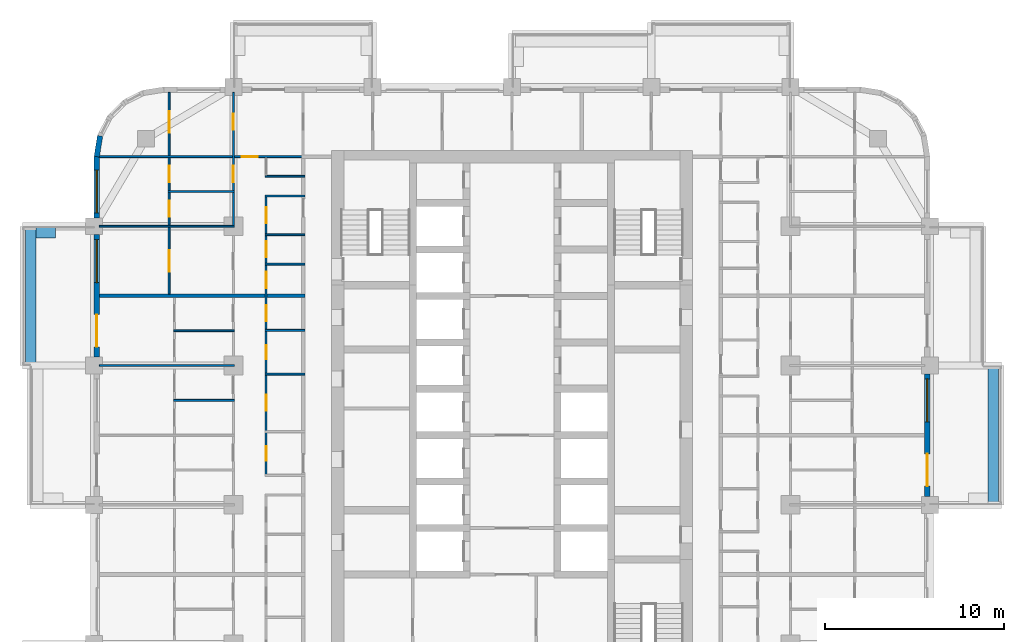
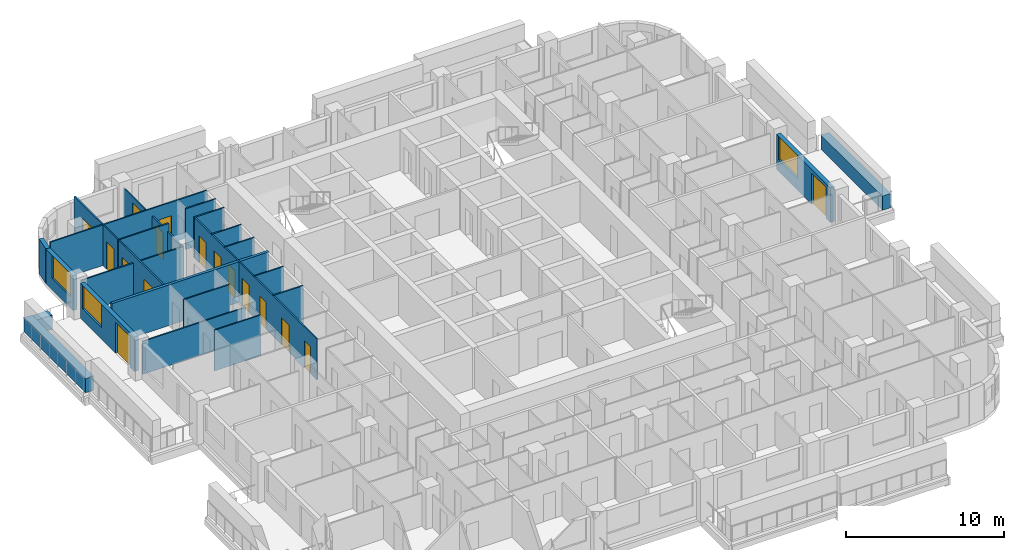
# One storey, part 10 of 18: 23 walls, 16 doors, 3 windows, 19 openings.
"""IFC4 building model written with IfcOpenShell, lengths in metres."""

from ifc_helpers import new_model, si_unit, direction, frame, frame_2d, origin, place, context, subcontext, project, spatial, rectangle, extrude, material, layer, layer_set, type_object, element, fill, save


model = new_model("IFC4")

# Units and contexts
model_context = context("Model", 3, precision=1e-05, world=origin(), true_north=direction((0.0, 1.0)))
body_context = subcontext(model_context, "Body", "Model", "MODEL_VIEW")
ifc_project = project(units=[si_unit("LENGTHUNIT", "METRE"), si_unit("AREAUNIT", "SQUARE_METRE"), si_unit("VOLUMEUNIT", "CUBIC_METRE"), si_unit("PLANEANGLEUNIT", "RADIAN"), si_unit("MASSUNIT", "GRAM", prefix="KILO")], contexts=[model_context])

# Site, building, storey
site_placement = place(None, origin())
site = spatial("IfcSite", under=ifc_project, at=site_placement, CompositionType="ELEMENT")
building_placement = place(site_placement, origin())
building = spatial("IfcBuilding", under=site, at=building_placement, Name="Ludao Terraces", CompositionType="ELEMENT")
storey_placement = place(building_placement, frame((0.0, 0.0, 78.39990234375)))
storey = spatial("IfcBuildingStorey", under=building, at=storey_placement, Name="L21", CompositionType="ELEMENT", Elevation=78.39990234375)

# Walls
ifc_material_1 = material(Name="Concrete C40", Category="concrete")
ifc_layer_1 = layer(ifc_material_1, 0.60009765625)
ifc_layer_set_1 = layer_set([ifc_layer_1], Name="ENV Planter trough 600")
wall_type_1 = type_object("IfcWallType", Name="ENV Planter trough 600", PredefinedType="USERDEFINED", material=ifc_layer_set_1)
for number, where, z_axis, x_axis, name in (
    (1, (111.949951171875, 65.0, 0.0), (0.0, 0.0, 1.0), (0.0, 1.0, 0.0), "PL-L21-E3"),
    (2, (58.050048828125, 72.800048828125, 0.0), (0.0, 0.0, 1.0), (0.0, 1.0, 0.0), "PL-L21-W4"),
):
    element("IfcWall", number, at=place(storey_placement, frame(where, z_axis=z_axis, x_axis=x_axis)), inside=storey, type_object=wall_type_1, Name=name, ObjectType="PLANTER", PredefinedType="USERDEFINED", context=body_context, shape_type="SweptSolid", body=[
        extrude(rectangle(XDim=7.800048828125, YDim=0.60009765625, at=frame_2d((3.89990234375, 0.0))), origin(), (0.0, 0.0, 1.0), 1.10009765625),
    ])
wall_1_placement = place(storey_placement, frame((58.35009765625, 80.25, 0.0), z_axis=(0.0, 0.0, 1.0), x_axis=(1.0, 0.0, 0.0)))
element("IfcWall", 3, at=wall_1_placement, inside=storey, type_object=wall_type_1, Name="PL-L21-W4-SB", ObjectType="PLANTER", PredefinedType="USERDEFINED", context=body_context, shape_type="SweptSolid", body=[
    extrude(rectangle(XDim=1.099853515625, YDim=0.60009765625, at=frame_2d((0.5498046875, 0.0))), origin(), (0.0, 0.0, 1.0), 1.10009765625),
])

# Wall, openings, door, window
ifc_material_2 = material(Name="Granite cladding", Category="masonry")
ifc_layer_2 = layer(ifc_material_2, 0.0400390625, Category="stone")
ifc_material_3 = material(Name="Mineral wool")
ifc_layer_3 = layer(ifc_material_3, 0.06005859375)
ifc_layer_4 = layer(ifc_material_1, 0.199951171875, Category="concrete")
ifc_layer_set_2 = layer_set([ifc_layer_2, ifc_layer_3, ifc_layer_4], Name="ENV Stone-clad wall 300")
wall_type_2 = type_object("IfcWallType", Name="ENV Stone-clad wall 300", PredefinedType="SOLIDWALL", material=ifc_layer_set_2)
wall_2_placement = place(storey_placement, frame((108.25, 65.47509765625, 0.0), z_axis=(0.0, 0.0, 1.0), x_axis=(0.0, 1.0, 0.0)))
wall_2 = element("IfcWall", 4, at=wall_2_placement, inside=storey, type_object=wall_type_2, Name="EW-L21-E4", PredefinedType="SOLIDWALL", context=body_context, shape_type="SweptSolid", body=[
    extrude(rectangle(XDim=6.849853515625, YDim=0.300048828125, at=frame_2d((3.4248046875, 0.0))), origin(), (0.0, 0.0, 1.0), 2.7001953125),
])
opening_1_placement = place(wall_2_placement, frame((0.574951171875, 0.0, 0.0)))
opening_1 = element("IfcOpeningElement", 5, at=opening_1_placement, cuts=wall_2, Name="Opening BD", PredefinedType="OPENING", context=body_context, shape_type="SweptSolid", body=[
    extrude(rectangle(XDim=1.800048828125, YDim=2.39990234375, at=frame_2d((0.89990234375, 1.199951171875))), frame((0.0, 0.16015625, 0.0), z_axis=(0.0, -1.0, 0.0), x_axis=(1.0, 0.0, 0.0)), (0.0, 0.0, 1.0), 0.320068359375),
])
opening_2_placement = place(wall_2_placement, frame((4.175048828125, 0.0, 0.89990234375)))
opening_2 = element("IfcOpeningElement", 6, at=opening_2_placement, cuts=wall_2, Name="Opening W1", PredefinedType="OPENING", context=body_context, shape_type="SweptSolid", body=[
    extrude(rectangle(XDim=2.39990234375, YDim=1.800048828125, at=frame_2d((1.199951171875, 0.89990234375))), frame((0.0, 0.16015625, 0.0), z_axis=(0.0, -1.0, 0.0), x_axis=(1.0, 0.0, 0.0)), (0.0, 0.0, 1.0), 0.320068359375),
])
ifc_material_4 = material(Name="Aluminium glazed door", Category="aluminium")
ifc_layer_5 = layer(ifc_material_4, 0.06005859375)
ifc_layer_set_3 = layer_set([ifc_layer_5], Name="ENV Balcony door BD 1800x2400")
door_type_1 = type_object("IfcDoorType", Name="ENV Balcony door BD 1800x2400", OperationType="DOUBLE_DOOR_SINGLE_SWING", PredefinedType="DOOR", material=ifc_layer_set_3)
door_1_placement = place(opening_1_placement, origin())
door_1 = element("IfcDoor", 7, at=door_1_placement, inside=storey, type_object=door_type_1, Name="BD-L21-E4-1", OperationType="DOUBLE_DOOR_SINGLE_SWING", OverallHeight=2.39990234375, OverallWidth=1.800048828125, PredefinedType="DOOR", context=body_context, shape_type="SweptSolid", body=[
    extrude(rectangle(XDim=1.800048828125, YDim=2.39990234375, at=frame_2d((0.89990234375, 1.199951171875))), frame((0.0, 0.02490234375, 0.0), z_axis=(0.0, -1.0, 0.0), x_axis=(1.0, 0.0, 0.0)), (0.0, 0.0, 1.0), 0.050048828125),
])
fill(opening_1, door_1)
ifc_material_5 = material(Name="Clear glass in aluminium frame", Category="aluminium")
ifc_layer_6 = layer(ifc_material_5, 0.06005859375)
ifc_layer_set_4 = layer_set([ifc_layer_6], Name="ENV Window W1 2400x1800")
window_type = type_object("IfcWindowType", Name="ENV Window W1 2400x1800", PartitioningType="DOUBLE_PANEL_VERTICAL", PredefinedType="WINDOW", material=ifc_layer_set_4)
window_1_placement = place(opening_2_placement, origin())
window_1 = element("IfcWindow", 8, at=window_1_placement, inside=storey, type_object=window_type, Name="W-L21-E4-2", OverallHeight=1.800048828125, OverallWidth=2.39990234375, PartitioningType="DOUBLE_PANEL_VERTICAL", PredefinedType="WINDOW", context=body_context, shape_type="SweptSolid", body=[
    extrude(rectangle(XDim=2.39990234375, YDim=1.800048828125, at=frame_2d((1.199951171875, 0.89990234375))), frame((0.0, 0.030029296875, 0.0), z_axis=(0.0, -1.0, 0.0), x_axis=(1.0, 0.0, 0.0)), (0.0, 0.0, 1.0), 0.06005859375),
])
fill(opening_2, window_1)

wall_3_placement = place(storey_placement, frame((61.75, 73.27490234375, 0.0), z_axis=(0.0, 0.0, 1.0), x_axis=(0.0, 1.0, 0.0)))
wall_3 = element("IfcWall", 9, at=wall_3_placement, inside=storey, type_object=wall_type_2, Name="EW-L21-W5", PredefinedType="SOLIDWALL", context=body_context, shape_type="SweptSolid", body=[
    extrude(rectangle(XDim=6.85009765625, YDim=0.300048828125, at=frame_2d((3.425048828125, 0.0))), origin(), (0.0, 0.0, 1.0), 2.7001953125),
])
opening_3_placement = place(wall_3_placement, frame((0.574951171875, 0.0, 0.0)))
opening_3 = element("IfcOpeningElement", 10, at=opening_3_placement, cuts=wall_3, Name="Opening BD", PredefinedType="OPENING", context=body_context, shape_type="SweptSolid", body=[
    extrude(rectangle(XDim=1.800048828125, YDim=2.39990234375, at=frame_2d((0.89990234375, 1.199951171875))), frame((0.0, 0.16015625, 0.0), z_axis=(0.0, -1.0, 0.0), x_axis=(1.0, 0.0, 0.0)), (0.0, 0.0, 1.0), 0.320068359375),
])
opening_4_placement = place(wall_3_placement, frame((4.175048828125, 0.0, 0.89990234375)))
opening_4 = element("IfcOpeningElement", 11, at=opening_4_placement, cuts=wall_3, Name="Opening W1", PredefinedType="OPENING", context=body_context, shape_type="SweptSolid", body=[
    extrude(rectangle(XDim=2.39990234375, YDim=1.800048828125, at=frame_2d((1.199951171875, 0.89990234375))), frame((0.0, 0.16015625, 0.0), z_axis=(0.0, -1.0, 0.0), x_axis=(1.0, 0.0, 0.0)), (0.0, 0.0, 1.0), 0.320068359375),
])
door_2_placement = place(opening_3_placement, origin())
door_2 = element("IfcDoor", 12, at=door_2_placement, inside=storey, type_object=door_type_1, Name="BD-L21-W5-1", OperationType="DOUBLE_DOOR_SINGLE_SWING", OverallHeight=2.39990234375, OverallWidth=1.800048828125, PredefinedType="DOOR", context=body_context, shape_type="SweptSolid", body=[
    extrude(rectangle(XDim=1.800048828125, YDim=2.39990234375, at=frame_2d((0.89990234375, 1.199951171875))), frame((0.0, 0.02490234375, 0.0), z_axis=(0.0, -1.0, 0.0), x_axis=(1.0, 0.0, 0.0)), (0.0, 0.0, 1.0), 0.050048828125),
])
fill(opening_3, door_2)
window_2_placement = place(opening_4_placement, origin())
window_2 = element("IfcWindow", 13, at=window_2_placement, inside=storey, type_object=window_type, Name="W-L21-W5-2", OverallHeight=1.800048828125, OverallWidth=2.39990234375, PartitioningType="DOUBLE_PANEL_VERTICAL", PredefinedType="WINDOW", context=body_context, shape_type="SweptSolid", body=[
    extrude(rectangle(XDim=2.39990234375, YDim=1.800048828125, at=frame_2d((1.199951171875, 0.89990234375))), frame((0.0, 0.030029296875, 0.0), z_axis=(0.0, -1.0, 0.0), x_axis=(1.0, 0.0, 0.0)), (0.0, 0.0, 1.0), 0.06005859375),
])
fill(opening_4, window_2)

# Wall, opening, window
wall_4_placement = place(storey_placement, frame((61.75, 81.074951171875, 0.0), z_axis=(0.0, 0.0, 1.0), x_axis=(0.0, 1.0, 0.0)))
wall_4 = element("IfcWall", 14, at=wall_4_placement, inside=storey, type_object=wall_type_2, Name="EW-L21-W6", PredefinedType="SOLIDWALL", context=body_context, shape_type="SweptSolid", body=[
    extrude(rectangle(XDim=3.425048828125, YDim=0.300048828125, at=frame_2d((1.71240234375, 0.0))), origin(), (0.0, 0.0, 1.0), 2.7001953125),
])
opening_5_placement = place(wall_4_placement, frame((0.27490234375, 0.0, 0.89990234375)))
opening_5 = element("IfcOpeningElement", 15, at=opening_5_placement, cuts=wall_4, Name="Opening W1", PredefinedType="OPENING", context=body_context, shape_type="SweptSolid", body=[
    extrude(rectangle(XDim=2.39990234375, YDim=1.800048828125, at=frame_2d((1.199951171875, 0.89990234375))), frame((0.0, 0.16015625, 0.0), z_axis=(0.0, -1.0, 0.0), x_axis=(1.0, 0.0, 0.0)), (0.0, 0.0, 1.0), 0.320068359375),
])
window_3_placement = place(opening_5_placement, origin())
window_3 = element("IfcWindow", 16, at=window_3_placement, inside=storey, type_object=window_type, Name="W-L21-W6-1", OverallHeight=1.800048828125, OverallWidth=2.39990234375, PartitioningType="DOUBLE_PANEL_VERTICAL", PredefinedType="WINDOW", context=body_context, shape_type="SweptSolid", body=[
    extrude(rectangle(XDim=2.39990234375, YDim=1.800048828125, at=frame_2d((1.199951171875, 0.89990234375))), frame((0.0, 0.030029296875, 0.0), z_axis=(0.0, -1.0, 0.0), x_axis=(1.0, 0.0, 0.0)), (0.0, 0.0, 1.0), 0.06005859375),
])
fill(opening_5, window_3)

# Walls
wall_5_placement = place(storey_placement, frame((61.93359375, 85.65869140625, 0.0), z_axis=(0.0, 0.0, 1.0), x_axis=(-0.156496880861, -0.987678452879, 0.0)))
element("IfcWall", 17, at=wall_5_placement, inside=storey, type_object=wall_type_2, Name="EW-L21-NW5", PredefinedType="SOLIDWALL", context=body_context, shape_type="SweptSolid", body=[
    extrude(rectangle(XDim=1.173095703125, YDim=0.300048828125, at=frame_2d((0.58642578125, 0.0))), origin(), (0.0, 0.0, 1.0), 2.7001953125),
])
ifc_material_6 = material(Name="Gypsum plasterboard", Category="gypsum")
ifc_layer_7 = layer(ifc_material_6, 0.012451171875, Category="gypsum")
ifc_layer_8 = layer(ifc_material_3, 0.06005859375, Name="insulation")
ifc_material_7 = material(Name="Steel Q235", Category="steel")
ifc_layer_9 = layer(ifc_material_7, 0.014892578125, Name="stud")
ifc_layer_10 = layer(ifc_material_6, 0.012451171875, Category="gypsum")
ifc_layer_set_5 = layer_set([ifc_layer_7, ifc_layer_8, ifc_layer_9, ifc_layer_10], Name="INT Partition 100")
wall_type_3 = type_object("IfcWallType", Name="INT Partition 100", PredefinedType="PARTITIONING", material=ifc_layer_set_5)
wall_6_placement = place(storey_placement, frame((66.050048828125, 70.85009765625, 0.0), z_axis=(0.0, 0.0, 1.0), x_axis=(1.0, 0.0, 0.0)))
element("IfcWall", 18, at=wall_6_placement, inside=storey, type_object=wall_type_3, Name="PW-L21-PW052", PredefinedType="PARTITIONING", context=body_context, shape_type="SweptSolid", body=[
    extrude(rectangle(XDim=3.400146484375, YDim=0.10009765625, at=frame_2d((1.7001953125, 0.0))), origin(), (0.0, 0.0, 1.0), 3.150146484375),
])
wall_7_placement = place(storey_placement, frame((71.18017578125, 72.320068359375, 0.0), z_axis=(0.0, 0.0, 1.0), x_axis=(1.0, 0.0, 0.0)))
element("IfcWall", 19, at=wall_7_placement, inside=storey, type_object=wall_type_3, Name="PW-L21-PW056", PredefinedType="PARTITIONING", context=body_context, shape_type="SweptSolid", body=[
    extrude(rectangle(XDim=2.219970703125, YDim=0.10009765625, at=frame_2d((1.10986328125, 0.0))), origin(), (0.0, 0.0, 1.0), 3.150146484375),
])
wall_8_placement = place(storey_placement, frame((61.900146484375, 72.800048828125, 0.0), z_axis=(0.0, 0.0, 1.0), x_axis=(1.0, 0.0, 0.0)))
element("IfcWall", 20, at=wall_8_placement, inside=storey, type_object=wall_type_3, Name="PW-L21-PW057", PredefinedType="PARTITIONING", context=body_context, shape_type="SweptSolid", body=[
    extrude(rectangle(XDim=7.550048828125, YDim=0.10009765625, at=frame_2d((3.77490234375, 0.0))), origin(), (0.0, 0.0, 1.0), 2.550048828125),
])
wall_9_placement = place(storey_placement, frame((66.050048828125, 74.75, 0.0), z_axis=(0.0, 0.0, 1.0), x_axis=(1.0, 0.0, 0.0)))
element("IfcWall", 21, at=wall_9_placement, inside=storey, type_object=wall_type_3, Name="PW-L21-PW060", PredefinedType="PARTITIONING", context=body_context, shape_type="SweptSolid", body=[
    extrude(rectangle(XDim=3.400146484375, YDim=0.10009765625, at=frame_2d((1.7001953125, 0.0))), origin(), (0.0, 0.0, 1.0), 3.150146484375),
])
for number, where, z_axis, x_axis, name in (
    (22, (71.18017578125, 74.77001953125, 0.0), (0.0, 0.0, 1.0), (1.0, 0.0, 0.0), "PW-L21-PW061"),
    (23, (71.18017578125, 78.47998046875, 0.0), (0.0, 0.0, 1.0), (1.0, 0.0, 0.0), "PW-L21-PW066"),
    (24, (71.18017578125, 80.1298828125, 0.0), (0.0, 0.0, 1.0), (1.0, 0.0, 0.0), "PW-L21-PW068"),
):
    element("IfcWall", number, at=place(storey_placement, frame(where, z_axis=z_axis, x_axis=x_axis)), inside=storey, type_object=wall_type_3, Name=name, PredefinedType="PARTITIONING", context=body_context, shape_type="SweptSolid", body=[
        extrude(rectangle(XDim=2.219970703125, YDim=0.10009765625, at=frame_2d((1.10986328125, 0.0))), origin(), (0.0, 0.0, 1.0), 3.150146484375),
    ])
wall_10_placement = place(storey_placement, frame((61.900146484375, 80.60009765625, 0.0), z_axis=(0.0, 0.0, 1.0), x_axis=(1.0, 0.0, 0.0)))
element("IfcWall", 25, at=wall_10_placement, inside=storey, type_object=wall_type_3, Name="PW-L21-PW069", PredefinedType="PARTITIONING", context=body_context, shape_type="SweptSolid", body=[
    extrude(rectangle(XDim=7.550048828125, YDim=0.10009765625, at=frame_2d((3.77490234375, 0.0))), origin(), (0.0, 0.0, 1.0), 2.550048828125),
])
wall_11_placement = place(storey_placement, frame((71.18017578125, 82.300048828125, 0.0), z_axis=(0.0, 0.0, 1.0), x_axis=(1.0, 0.0, 0.0)))
element("IfcWall", 26, at=wall_11_placement, inside=storey, type_object=wall_type_3, Name="PW-L21-PW072", PredefinedType="PARTITIONING", context=body_context, shape_type="SweptSolid", body=[
    extrude(rectangle(XDim=2.219970703125, YDim=0.10009765625, at=frame_2d((1.10986328125, 0.0))), origin(), (0.0, 0.0, 1.0), 3.150146484375),
])
wall_12_placement = place(storey_placement, frame((65.75, 82.550048828125, 0.0), z_axis=(0.0, 0.0, 1.0), x_axis=(1.0, 0.0, 0.0)))
element("IfcWall", 27, at=wall_12_placement, inside=storey, type_object=wall_type_3, Name="PW-L21-PW073", PredefinedType="PARTITIONING", context=body_context, shape_type="SweptSolid", body=[
    extrude(rectangle(XDim=3.7001953125, YDim=0.10009765625, at=frame_2d((1.85009765625, 0.0))), origin(), (0.0, 0.0, 1.0), 3.150146484375),
])
wall_13_placement = place(storey_placement, frame((71.18017578125, 83.39990234375, 0.0), z_axis=(0.0, 0.0, 1.0), x_axis=(1.0, 0.0, 0.0)))
element("IfcWall", 28, at=wall_13_placement, inside=storey, type_object=wall_type_3, Name="PW-L21-PW076", PredefinedType="PARTITIONING", context=body_context, shape_type="SweptSolid", body=[
    extrude(rectangle(XDim=2.219970703125, YDim=0.10009765625, at=frame_2d((1.10986328125, 0.0))), origin(), (0.0, 0.0, 1.0), 3.150146484375),
])

# Wall, opening, door
wall_14_placement = place(storey_placement, frame((61.900146484375, 84.5, 0.0), z_axis=(0.0, 0.0, 1.0), x_axis=(1.0, 0.0, 0.0)))
wall_14 = element("IfcWall", 29, at=wall_14_placement, inside=storey, type_object=wall_type_3, Name="PW-L21-PW077", PredefinedType="PARTITIONING", context=body_context, shape_type="SweptSolid", body=[
    extrude(rectangle(XDim=11.5, YDim=0.10009765625, at=frame_2d((5.75, 0.0))), origin(), (0.0, 0.0, 1.0), 3.150146484375),
])
opening_6_placement = place(wall_14_placement, frame((7.965087890625, 0.0, 0.0)))
opening_6 = element("IfcOpeningElement", 30, at=opening_6_placement, cuts=wall_14, Name="Opening R06-155", PredefinedType="OPENING", context=body_context, shape_type="SweptSolid", body=[
    extrude(rectangle(XDim=0.89990234375, YDim=2.10009765625, at=frame_2d((0.449951171875, 1.050048828125))), frame((0.0, 0.06005859375, 0.0), z_axis=(0.0, -1.0, 0.0), x_axis=(1.0, 0.0, 0.0)), (0.0, 0.0, 1.0), 0.1201171875),
])
ifc_material_8 = material(Name="Timber door leaf", Category="wood")
door_type_2 = type_object("IfcDoorType", Name="INT Room door 900", OperationType="SINGLE_SWING_LEFT", PredefinedType="DOOR", material=ifc_material_8)
door_3_placement = place(opening_6_placement, origin())
door_3 = element("IfcDoor", 31, at=door_3_placement, inside=storey, type_object=door_type_2, Name="DOOR 155", OperationType="SINGLE_SWING_RIGHT", OverallHeight=2.10009765625, OverallWidth=0.89990234375, PredefinedType="DOOR", context=body_context, shape_type="SweptSolid", body=[
    extrude(rectangle(XDim=0.89990234375, YDim=2.10009765625, at=frame_2d((0.449951171875, 1.050048828125))), frame((0.0, 0.02490234375, 0.0), z_axis=(0.0, -1.0, 0.0), x_axis=(1.0, 0.0, 0.0)), (0.0, 0.0, 1.0), 0.050048828125),
])
fill(opening_6, door_3)

# Wall, openings, doors
wall_15_placement = place(storey_placement, frame((65.800048828125, 76.800048828125, 0.0), z_axis=(0.0, 0.0, 1.0), x_axis=(0.0, 1.0, 0.0)))
wall_15 = element("IfcWall", 32, at=wall_15_placement, inside=storey, type_object=wall_type_3, Name="PW-L21-PW081", PredefinedType="PARTITIONING", context=body_context, shape_type="SweptSolid", body=[
    extrude(rectangle(XDim=11.300048828125, YDim=0.10009765625, at=frame_2d((5.64990234375, 0.0))), origin(), (0.0, 0.0, 1.0), 3.150146484375),
])
opening_7_placement = place(wall_15_placement, frame((1.25, 0.0, 0.0)))
opening_7 = element("IfcOpeningElement", 33, at=opening_7_placement, cuts=wall_15, Name="Opening R06-133", PredefinedType="OPENING", context=body_context, shape_type="SweptSolid", body=[
    extrude(rectangle(XDim=1.199951171875, YDim=2.10009765625, at=frame_2d((0.60009765625, 1.050048828125))), frame((0.0, 0.06005859375, 0.0), z_axis=(0.0, -1.0, 0.0), x_axis=(1.0, 0.0, 0.0)), (0.0, 0.0, 1.0), 0.1201171875),
])
opening_8_placement = place(wall_15_placement, frame((4.324951171875, 0.0, 0.0)))
opening_8 = element("IfcOpeningElement", 34, at=opening_8_placement, cuts=wall_15, Name="Opening R06-143", PredefinedType="OPENING", context=body_context, shape_type="SweptSolid", body=[
    extrude(rectangle(XDim=0.89990234375, YDim=2.10009765625, at=frame_2d((0.449951171875, 1.050048828125))), frame((0.0, 0.06005859375, 0.0), z_axis=(0.0, -1.0, 0.0), x_axis=(1.0, 0.0, 0.0)), (0.0, 0.0, 1.0), 0.1201171875),
])
opening_9_placement = place(wall_15_placement, frame((6.27490234375, 0.0, 0.0)))
opening_9 = element("IfcOpeningElement", 35, at=opening_9_placement, cuts=wall_15, Name="Opening R06-148", PredefinedType="OPENING", context=body_context, shape_type="SweptSolid", body=[
    extrude(rectangle(XDim=0.89990234375, YDim=2.10009765625, at=frame_2d((0.449951171875, 1.050048828125))), frame((0.0, 0.06005859375, 0.0), z_axis=(0.0, -1.0, 0.0), x_axis=(1.0, 0.0, 0.0)), (0.0, 0.0, 1.0), 0.1201171875),
])
opening_10_placement = place(wall_15_placement, frame((9.050048828125, 0.0, 0.0)))
opening_10 = element("IfcOpeningElement", 36, at=opening_10_placement, cuts=wall_15, Name="Opening R06-157", PredefinedType="OPENING", context=body_context, shape_type="SweptSolid", body=[
    extrude(rectangle(XDim=1.199951171875, YDim=2.10009765625, at=frame_2d((0.60009765625, 1.050048828125))), frame((0.0, 0.06005859375, 0.0), z_axis=(0.0, -1.0, 0.0), x_axis=(1.0, 0.0, 0.0)), (0.0, 0.0, 1.0), 0.1201171875),
])
door_type_3 = type_object("IfcDoorType", Name="INT Bathroom door 900", OperationType="SINGLE_SWING_LEFT", PredefinedType="DOOR", material=ifc_material_8)
door_4_placement = place(opening_8_placement, origin())
door_4 = element("IfcDoor", 37, at=door_4_placement, inside=storey, type_object=door_type_3, Name="DOOR 143", OperationType="SINGLE_SWING_RIGHT", OverallHeight=2.10009765625, OverallWidth=0.89990234375, PredefinedType="DOOR", context=body_context, shape_type="SweptSolid", body=[
    extrude(rectangle(XDim=0.89990234375, YDim=2.10009765625, at=frame_2d((0.449951171875, 1.050048828125))), frame((0.0, 0.02490234375, 0.0), z_axis=(0.0, -1.0, 0.0), x_axis=(1.0, 0.0, 0.0)), (0.0, 0.0, 1.0), 0.050048828125),
])
fill(opening_8, door_4)
door_type_4 = type_object("IfcDoorType", Name="INT Double door 1200", OperationType="DOUBLE_DOOR_SINGLE_SWING", PredefinedType="DOOR", material=ifc_material_8)
door_5_placement = place(opening_7_placement, origin())
door_5 = element("IfcDoor", 38, at=door_5_placement, inside=storey, type_object=door_type_4, Name="DOOR 133", OperationType="DOUBLE_DOOR_SINGLE_SWING", OverallHeight=2.10009765625, OverallWidth=1.199951171875, PredefinedType="DOOR", context=body_context, shape_type="SweptSolid", body=[
    extrude(rectangle(XDim=1.199951171875, YDim=2.10009765625, at=frame_2d((0.60009765625, 1.050048828125))), frame((0.0, 0.02490234375, 0.0), z_axis=(0.0, -1.0, 0.0), x_axis=(1.0, 0.0, 0.0)), (0.0, 0.0, 1.0), 0.050048828125),
])
fill(opening_7, door_5)
door_6_placement = place(opening_10_placement, origin())
door_6 = element("IfcDoor", 39, at=door_6_placement, inside=storey, type_object=door_type_4, Name="DOOR 157", OperationType="DOUBLE_DOOR_SINGLE_SWING", OverallHeight=2.10009765625, OverallWidth=1.199951171875, PredefinedType="DOOR", context=body_context, shape_type="SweptSolid", body=[
    extrude(rectangle(XDim=1.199951171875, YDim=2.10009765625, at=frame_2d((0.60009765625, 1.050048828125))), frame((0.0, 0.02490234375, 0.0), z_axis=(0.0, -1.0, 0.0), x_axis=(1.0, 0.0, 0.0)), (0.0, 0.0, 1.0), 0.050048828125),
])
fill(opening_10, door_6)
door_7_placement = place(opening_9_placement, origin())
door_7 = element("IfcDoor", 40, at=door_7_placement, inside=storey, type_object=door_type_2, Name="DOOR 148", OperationType="SINGLE_SWING_RIGHT", OverallHeight=2.10009765625, OverallWidth=0.89990234375, PredefinedType="DOOR", context=body_context, shape_type="SweptSolid", body=[
    extrude(rectangle(XDim=0.89990234375, YDim=2.10009765625, at=frame_2d((0.449951171875, 1.050048828125))), frame((0.0, 0.02490234375, 0.0), z_axis=(0.0, -1.0, 0.0), x_axis=(1.0, 0.0, 0.0)), (0.0, 0.0, 1.0), 0.050048828125),
])
fill(opening_9, door_7)

wall_16_placement = place(storey_placement, frame((69.39990234375, 80.60009765625, 0.0), z_axis=(0.0, 0.0, 1.0), x_axis=(0.0, 1.0, 0.0)))
wall_16 = element("IfcWall", 41, at=wall_16_placement, inside=storey, type_object=wall_type_3, Name="PW-L21-PW083-3", PredefinedType="PARTITIONING", context=body_context, shape_type="SweptSolid", body=[
    extrude(rectangle(XDim=7.5, YDim=0.10009765625, at=frame_2d((3.75, 0.0))), origin(), (0.0, 0.0, 1.0), 2.550048828125),
])
opening_11_placement = place(wall_16_placement, frame((2.47509765625, 0.0, 0.0)))
opening_11 = element("IfcOpeningElement", 42, at=opening_11_placement, cuts=wall_16, Name="Opening R06-149", PredefinedType="OPENING", context=body_context, shape_type="SweptSolid", body=[
    extrude(rectangle(XDim=0.89990234375, YDim=2.10009765625, at=frame_2d((0.449951171875, 1.050048828125))), frame((0.0, 0.06005859375, 0.0), z_axis=(0.0, -1.0, 0.0), x_axis=(1.0, 0.0, 0.0)), (0.0, 0.0, 1.0), 0.1201171875),
])
opening_12_placement = place(wall_16_placement, frame((5.39990234375, 0.0, 0.0)))
opening_12 = element("IfcOpeningElement", 43, at=opening_12_placement, cuts=wall_16, Name="Opening R06-158", PredefinedType="OPENING", context=body_context, shape_type="SweptSolid", body=[
    extrude(rectangle(XDim=0.89990234375, YDim=2.10009765625, at=frame_2d((0.449951171875, 1.050048828125))), frame((0.0, 0.06005859375, 0.0), z_axis=(0.0, -1.0, 0.0), x_axis=(1.0, 0.0, 0.0)), (0.0, 0.0, 1.0), 0.1201171875),
])
door_8_placement = place(opening_11_placement, origin())
door_8 = element("IfcDoor", 44, at=door_8_placement, inside=storey, type_object=door_type_2, Name="DOOR 149", OperationType="SINGLE_SWING_LEFT", OverallHeight=2.10009765625, OverallWidth=0.89990234375, PredefinedType="DOOR", context=body_context, shape_type="SweptSolid", body=[
    extrude(rectangle(XDim=0.89990234375, YDim=2.10009765625, at=frame_2d((0.449951171875, 1.050048828125))), frame((0.0, 0.02490234375, 0.0), z_axis=(0.0, -1.0, 0.0), x_axis=(1.0, 0.0, 0.0)), (0.0, 0.0, 1.0), 0.050048828125),
])
fill(opening_11, door_8)
door_9_placement = place(opening_12_placement, origin())
door_9 = element("IfcDoor", 45, at=door_9_placement, inside=storey, type_object=door_type_2, Name="DOOR 158", OperationType="SINGLE_SWING_RIGHT", OverallHeight=2.10009765625, OverallWidth=0.89990234375, PredefinedType="DOOR", context=body_context, shape_type="SweptSolid", body=[
    extrude(rectangle(XDim=0.89990234375, YDim=2.10009765625, at=frame_2d((0.449951171875, 1.050048828125))), frame((0.0, 0.02490234375, 0.0), z_axis=(0.0, -1.0, 0.0), x_axis=(1.0, 0.0, 0.0)), (0.0, 0.0, 1.0), 0.050048828125),
])
fill(opening_12, door_9)

wall_17_placement = place(storey_placement, frame((71.22998046875, 66.7001953125, 0.0), z_axis=(0.0, 0.0, 1.0), x_axis=(0.0, 1.0, 0.0)))
wall_17 = element("IfcWall", 46, at=wall_17_placement, inside=storey, type_object=wall_type_3, Name="PW-L21-PW086", PredefinedType="PARTITIONING", context=body_context, shape_type="SweptSolid", body=[
    extrude(rectangle(XDim=15.5498046875, YDim=0.10009765625, at=frame_2d((7.77490234375, 0.0))), origin(), (0.0, 0.0, 1.0), 3.150146484375),
])
opening_13_placement = place(wall_17_placement, frame((0.77490234375, 0.0, 0.0)))
opening_13 = element("IfcOpeningElement", 47, at=opening_13_placement, cuts=wall_17, Name="Opening R06-093", PredefinedType="OPENING", context=body_context, shape_type="SweptSolid", body=[
    extrude(rectangle(XDim=0.800048828125, YDim=2.10009765625, at=frame_2d((0.39990234375, 1.050048828125))), frame((0.0, 0.06005859375, 0.0), z_axis=(0.0, -1.0, 0.0), x_axis=(1.0, 0.0, 0.0)), (0.0, 0.0, 1.0), 0.1201171875),
])
opening_14_placement = place(wall_17_placement, frame((3.559814453125, 0.0, 0.0)))
opening_14 = element("IfcOpeningElement", 48, at=opening_14_placement, cuts=wall_17, Name="Opening R06-104", PredefinedType="OPENING", context=body_context, shape_type="SweptSolid", body=[
    extrude(rectangle(XDim=0.89990234375, YDim=2.10009765625, at=frame_2d((0.449951171875, 1.050048828125))), frame((0.0, 0.06005859375, 0.0), z_axis=(0.0, -1.0, 0.0), x_axis=(1.0, 0.0, 0.0)), (0.0, 0.0, 1.0), 0.1201171875),
])
opening_15_placement = place(wall_17_placement, frame((6.44482421875, 0.0, 0.0)))
opening_15 = element("IfcOpeningElement", 49, at=opening_15_placement, cuts=wall_17, Name="Opening R06-114", PredefinedType="OPENING", context=body_context, shape_type="SweptSolid", body=[
    extrude(rectangle(XDim=0.800048828125, YDim=2.10009765625, at=frame_2d((0.39990234375, 1.050048828125))), frame((0.0, 0.06005859375, 0.0), z_axis=(0.0, -1.0, 0.0), x_axis=(1.0, 0.0, 0.0)), (0.0, 0.0, 1.0), 0.1201171875),
])
opening_16_placement = place(wall_17_placement, frame((8.5849609375, 0.0, 0.0)))
opening_16 = element("IfcOpeningElement", 50, at=opening_16_placement, cuts=wall_17, Name="Opening R06-125", PredefinedType="OPENING", context=body_context, shape_type="SweptSolid", body=[
    extrude(rectangle(XDim=0.89990234375, YDim=2.10009765625, at=frame_2d((0.449951171875, 1.050048828125))), frame((0.0, 0.06005859375, 0.0), z_axis=(0.0, -1.0, 0.0), x_axis=(1.0, 0.0, 0.0)), (0.0, 0.0, 1.0), 0.1201171875),
])
opening_17_placement = place(wall_17_placement, frame((10.43994140625, 0.0, 0.0)))
opening_17 = element("IfcOpeningElement", 51, at=opening_17_placement, cuts=wall_17, Name="Opening R06-128", PredefinedType="OPENING", context=body_context, shape_type="SweptSolid", body=[
    extrude(rectangle(XDim=0.89990234375, YDim=2.10009765625, at=frame_2d((0.449951171875, 1.050048828125))), frame((0.0, 0.06005859375, 0.0), z_axis=(0.0, -1.0, 0.0), x_axis=(1.0, 0.0, 0.0)), (0.0, 0.0, 1.0), 0.1201171875),
])
opening_18_placement = place(wall_17_placement, frame((12.15478515625, 0.0, 0.0)))
opening_18 = element("IfcOpeningElement", 52, at=opening_18_placement, cuts=wall_17, Name="Opening R06-138", PredefinedType="OPENING", context=body_context, shape_type="SweptSolid", body=[
    extrude(rectangle(XDim=0.89990234375, YDim=2.10009765625, at=frame_2d((0.449951171875, 1.050048828125))), frame((0.0, 0.06005859375, 0.0), z_axis=(0.0, -1.0, 0.0), x_axis=(1.0, 0.0, 0.0)), (0.0, 0.0, 1.0), 0.1201171875),
])
opening_19_placement = place(wall_17_placement, frame((14.06494140625, 0.0, 0.0)))
opening_19 = element("IfcOpeningElement", 53, at=opening_19_placement, cuts=wall_17, Name="Opening R06-142", PredefinedType="OPENING", context=body_context, shape_type="SweptSolid", body=[
    extrude(rectangle(XDim=0.89990234375, YDim=2.10009765625, at=frame_2d((0.449951171875, 1.050048828125))), frame((0.0, 0.06005859375, 0.0), z_axis=(0.0, -1.0, 0.0), x_axis=(1.0, 0.0, 0.0)), (0.0, 0.0, 1.0), 0.1201171875),
])
door_10_placement = place(opening_16_placement, origin())
door_10 = element("IfcDoor", 54, at=door_10_placement, inside=storey, type_object=door_type_3, Name="DOOR 125", OperationType="SINGLE_SWING_LEFT", OverallHeight=2.10009765625, OverallWidth=0.89990234375, PredefinedType="DOOR", context=body_context, shape_type="SweptSolid", body=[
    extrude(rectangle(XDim=0.89990234375, YDim=2.10009765625, at=frame_2d((0.449951171875, 1.050048828125))), frame((0.0, 0.02490234375, 0.0), z_axis=(0.0, -1.0, 0.0), x_axis=(1.0, 0.0, 0.0)), (0.0, 0.0, 1.0), 0.050048828125),
])
fill(opening_16, door_10)
door_11_placement = place(opening_17_placement, origin())
door_11 = element("IfcDoor", 55, at=door_11_placement, inside=storey, type_object=door_type_3, Name="DOOR 128", OperationType="SINGLE_SWING_RIGHT", OverallHeight=2.10009765625, OverallWidth=0.89990234375, PredefinedType="DOOR", context=body_context, shape_type="SweptSolid", body=[
    extrude(rectangle(XDim=0.89990234375, YDim=2.10009765625, at=frame_2d((0.449951171875, 1.050048828125))), frame((0.0, 0.02490234375, 0.0), z_axis=(0.0, -1.0, 0.0), x_axis=(1.0, 0.0, 0.0)), (0.0, 0.0, 1.0), 0.050048828125),
])
fill(opening_17, door_11)
door_12_placement = place(opening_18_placement, origin())
door_12 = element("IfcDoor", 56, at=door_12_placement, inside=storey, type_object=door_type_3, Name="DOOR 138", OperationType="SINGLE_SWING_RIGHT", OverallHeight=2.10009765625, OverallWidth=0.89990234375, PredefinedType="DOOR", context=body_context, shape_type="SweptSolid", body=[
    extrude(rectangle(XDim=0.89990234375, YDim=2.10009765625, at=frame_2d((0.449951171875, 1.050048828125))), frame((0.0, 0.02490234375, 0.0), z_axis=(0.0, -1.0, 0.0), x_axis=(1.0, 0.0, 0.0)), (0.0, 0.0, 1.0), 0.050048828125),
])
fill(opening_18, door_12)
door_13_placement = place(opening_14_placement, origin())
door_13 = element("IfcDoor", 57, at=door_13_placement, inside=storey, type_object=door_type_2, Name="DOOR 104", OperationType="SINGLE_SWING_RIGHT", OverallHeight=2.10009765625, OverallWidth=0.89990234375, PredefinedType="DOOR", context=body_context, shape_type="SweptSolid", body=[
    extrude(rectangle(XDim=0.89990234375, YDim=2.10009765625, at=frame_2d((0.449951171875, 1.050048828125))), frame((0.0, 0.02490234375, 0.0), z_axis=(0.0, -1.0, 0.0), x_axis=(1.0, 0.0, 0.0)), (0.0, 0.0, 1.0), 0.050048828125),
])
fill(opening_14, door_13)
door_14_placement = place(opening_19_placement, origin())
door_14 = element("IfcDoor", 58, at=door_14_placement, inside=storey, type_object=door_type_2, Name="DOOR 142", OperationType="SINGLE_SWING_LEFT", OverallHeight=2.10009765625, OverallWidth=0.89990234375, PredefinedType="DOOR", context=body_context, shape_type="SweptSolid", body=[
    extrude(rectangle(XDim=0.89990234375, YDim=2.10009765625, at=frame_2d((0.449951171875, 1.050048828125))), frame((0.0, 0.02490234375, 0.0), z_axis=(0.0, -1.0, 0.0), x_axis=(1.0, 0.0, 0.0)), (0.0, 0.0, 1.0), 0.050048828125),
])
fill(opening_19, door_14)
door_type_5 = type_object("IfcDoorType", Name="INT Store door 800", OperationType="SINGLE_SWING_LEFT", PredefinedType="DOOR", material=ifc_material_8)
door_15_placement = place(opening_13_placement, origin())
door_15 = element("IfcDoor", 59, at=door_15_placement, inside=storey, type_object=door_type_5, Name="DOOR 093", OperationType="SINGLE_SWING_RIGHT", OverallHeight=2.10009765625, OverallWidth=0.800048828125, PredefinedType="DOOR", context=body_context, shape_type="SweptSolid", body=[
    extrude(rectangle(XDim=0.800048828125, YDim=2.10009765625, at=frame_2d((0.39990234375, 1.050048828125))), frame((0.0, 0.02490234375, 0.0), z_axis=(0.0, -1.0, 0.0), x_axis=(1.0, 0.0, 0.0)), (0.0, 0.0, 1.0), 0.050048828125),
])
fill(opening_13, door_15)
door_16_placement = place(opening_15_placement, origin())
door_16 = element("IfcDoor", 60, at=door_16_placement, inside=storey, type_object=door_type_5, Name="DOOR 114", OperationType="SINGLE_SWING_RIGHT", OverallHeight=2.10009765625, OverallWidth=0.800048828125, PredefinedType="DOOR", context=body_context, shape_type="SweptSolid", body=[
    extrude(rectangle(XDim=0.800048828125, YDim=2.10009765625, at=frame_2d((0.39990234375, 1.050048828125))), frame((0.0, 0.02490234375, 0.0), z_axis=(0.0, -1.0, 0.0), x_axis=(1.0, 0.0, 0.0)), (0.0, 0.0, 1.0), 0.050048828125),
])
fill(opening_15, door_16)

# Wall
ifc_material_9 = material(Name="Autoclaved aerated concrete block B06 A3.5", Category="concrete")
ifc_layer_11 = layer(ifc_material_9, 0.199951171875)
ifc_layer_set_6 = layer_set([ifc_layer_11], Name="INT Party wall 200")
wall_type_4 = type_object("IfcWallType", Name="INT Party wall 200", PredefinedType="PARTITIONING", material=ifc_layer_set_6)
wall_18_placement = place(storey_placement, frame((61.900146484375, 76.699951171875, 0.0), z_axis=(0.0, 0.0, 1.0), x_axis=(1.0, 0.0, 0.0)))
element("IfcWall", 61, at=wall_18_placement, inside=storey, type_object=wall_type_4, Name="PW-L21-PW062", PredefinedType="PARTITIONING", context=body_context, shape_type="SweptSolid", body=[
    extrude(rectangle(XDim=11.5, YDim=0.199951171875, at=frame_2d((5.75, 0.0))), origin(), (0.0, 0.0, 1.0), 3.150146484375),
])

save(model, "model.ifc")
